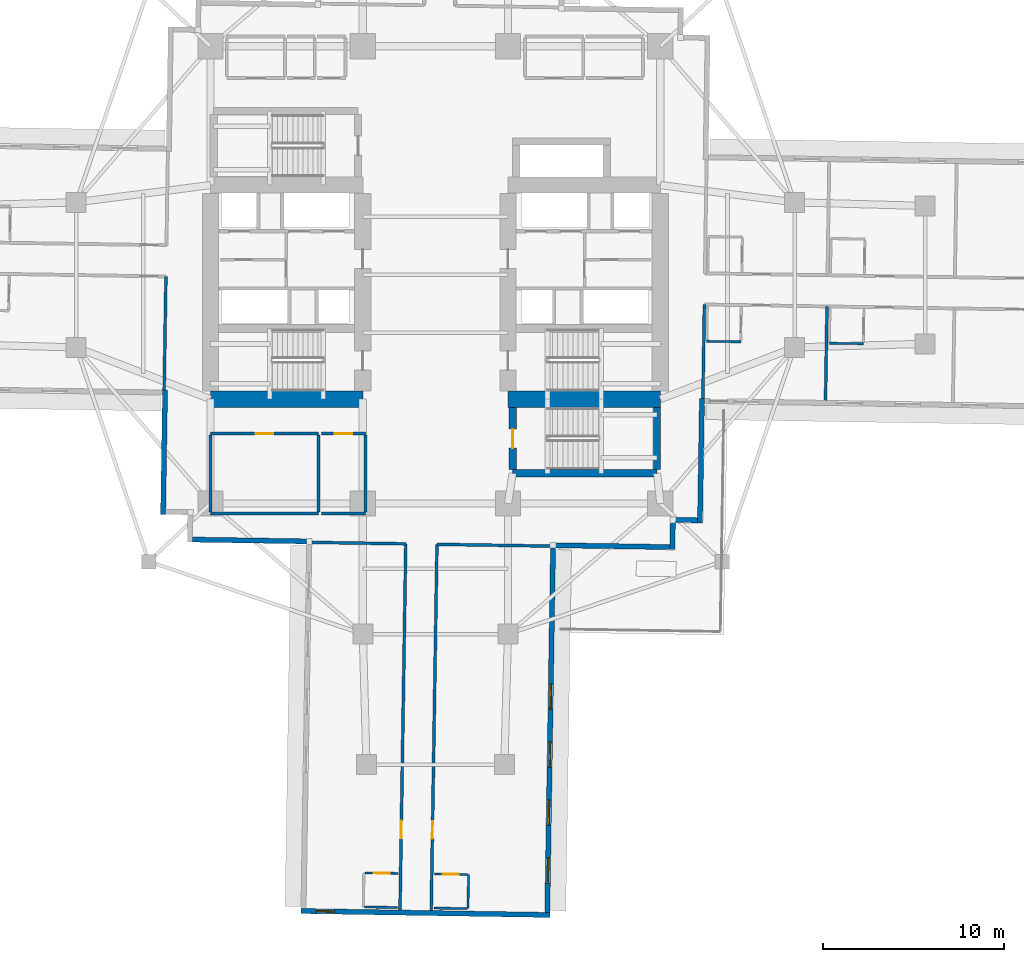
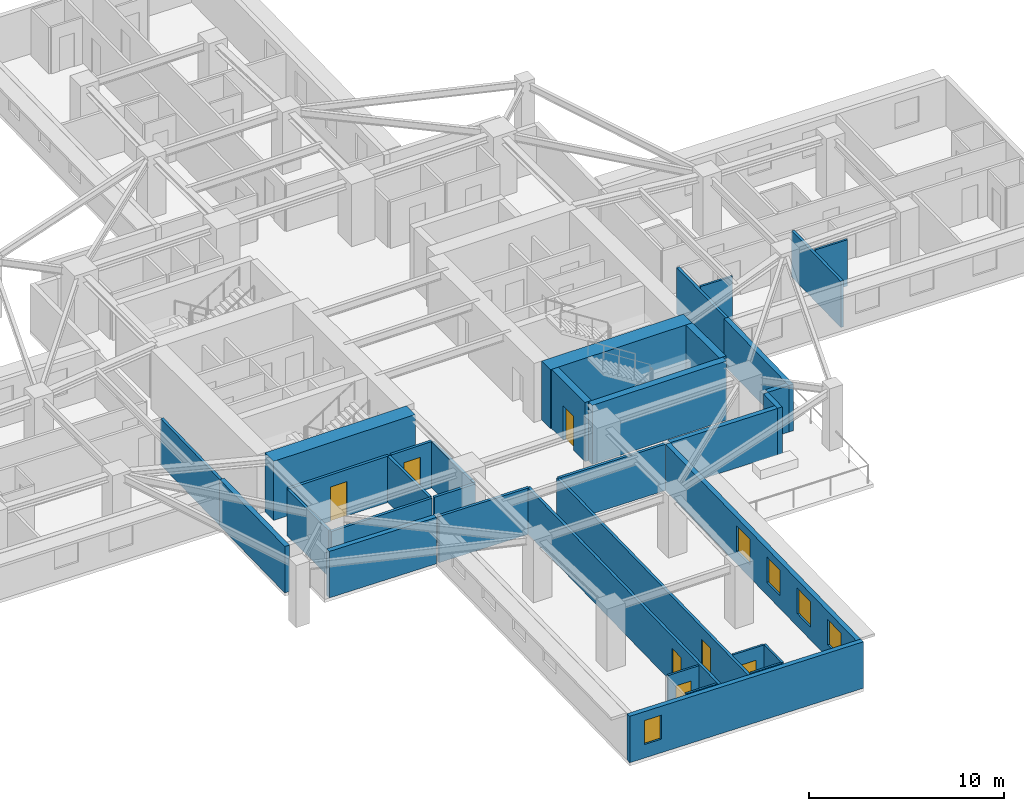
# One storey, part 3 of 13: 34 walls, 7 doors, 5 windows, 12 openings.
"""IFC4 building model written with IfcOpenShell, lengths in metres."""

from ifc_helpers import new_model, si_unit, direction, frame, frame_2d, origin, place, context, subcontext, project, spatial, rectangle, extrude, material, layer, layer_set, type_object, element, fill, save


model = new_model("IFC4")

# Units and contexts
model_context = context("Model", 3, precision=1e-05, world=origin(), true_north=direction((0.0, 1.0)))
body_context = subcontext(model_context, "Body", "Model", "MODEL_VIEW")
ifc_project = project(units=[si_unit("LENGTHUNIT", "METRE"), si_unit("AREAUNIT", "SQUARE_METRE"), si_unit("VOLUMEUNIT", "CUBIC_METRE"), si_unit("PLANEANGLEUNIT", "RADIAN"), si_unit("MASSUNIT", "GRAM", prefix="KILO")], contexts=[model_context])

# Site, building, storey
site_placement = place(None, origin())
site = spatial("IfcSite", under=ifc_project, at=site_placement, CompositionType="ELEMENT")
building_placement = place(site_placement, origin())
building = spatial("IfcBuilding", under=site, at=building_placement, Name="Qingluan Cross Belvedere", CompositionType="ELEMENT")
storey_placement = place(building_placement, frame((0.0, 0.0, 67.800048828125)))
storey = spatial("IfcBuildingStorey", under=building, at=storey_placement, Name="L17", CompositionType="ELEMENT", Elevation=67.800048828125)

# Wall
ifc_material_1 = material(Name="Concrete C50", Category="concrete")
ifc_layer_1 = layer(ifc_material_1, 0.449951171875, Name="CoreShearWall_450")
ifc_layer_set_1 = layer_set([ifc_layer_1], Name="Concrete C50")
wall_type_1 = type_object("IfcWallType", Name="CoreShearWall_450", PredefinedType="SHEAR", material=ifc_layer_set_1)
wall_1_placement = place(storey_placement, frame((4.260009765625, -10.93994140625, 0.0), z_axis=(0.0, 0.0, 1.0), x_axis=(1.0, 0.0, 0.0)))
element("IfcWall", 1, at=wall_1_placement, inside=storey, type_object=wall_type_1, Name="Stair ST4 structural wall S L17", PredefinedType="SHEAR", context=body_context, shape_type="SweptSolid", body=[
    extrude(rectangle(XDim=7.9599609375, YDim=0.39990234375, at=frame_2d((3.97998046875, 0.0))), origin(), (0.0, 0.0, 1.0), 3.699951171875),
])

# Wall, opening, door
wall_2_placement = place(storey_placement, frame((4.260009765625, -10.735107421875, 0.0), z_axis=(0.0, 0.0, 1.0), x_axis=(0.0, 1.0, 0.0)))
wall_2 = element("IfcWall", 2, at=wall_2_placement, inside=storey, type_object=wall_type_1, Name="Stair ST4 structural wall W L17", PredefinedType="SHEAR", context=body_context, shape_type="SweptSolid", body=[
    extrude(rectangle(XDim=3.43017578125, YDim=0.39990234375, at=frame_2d((1.715087890625, 0.0))), origin(), (0.0, 0.0, 1.0), 3.699951171875),
])
opening_1_placement = place(wall_2_placement, frame((1.18505859375, 0.0, 0.0)))
opening_1 = element("IfcOpeningElement", 3, at=opening_1_placement, cuts=wall_2, Name="Opening FD-B11", PredefinedType="OPENING", context=body_context, shape_type="SweptSolid", body=[
    extrude(rectangle(XDim=1.050048828125, YDim=2.14990234375, at=frame_2d((0.52490234375, 1.074951171875))), frame((0.0, 0.2099609375, 0.0), z_axis=(0.0, -1.0, 0.0), x_axis=(1.0, 0.0, 0.0)), (0.0, 0.0, 1.0), 0.419921875),
])
ifc_material_2 = material(Name="Steel Class B smoke-seal fire door", Category="steel")
door_type_1 = type_object("IfcDoorType", Name="StairLobbyFireDoor_FDB", OperationType="NOTDEFINED", PredefinedType="DOOR", material=ifc_material_2)
door_1_placement = place(opening_1_placement, origin())
door_1 = element("IfcDoor", 4, at=door_1_placement, inside=storey, type_object=door_type_1, Name="Smoke-proof stair ST4 fire door L17", OperationType="SINGLE_SWING_LEFT", OverallHeight=2.14990234375, OverallWidth=1.050048828125, PredefinedType="DOOR", context=body_context, shape_type="SweptSolid", body=[
    extrude(rectangle(XDim=1.050048828125, YDim=2.14990234375, at=frame_2d((0.52490234375, 1.074951171875))), frame((0.0, 0.02490234375, 0.0), z_axis=(0.0, -1.0, 0.0), x_axis=(1.0, 0.0, 0.0)), (0.0, 0.0, 1.0), 0.050048828125),
])
fill(opening_1, door_1)

# Walls
wall_3_placement = place(storey_placement, frame((12.219970703125, -10.735107421875, 0.0), z_axis=(0.0, 0.0, 1.0), x_axis=(0.0, 1.0, 0.0)))
element("IfcWall", 5, at=wall_3_placement, inside=storey, type_object=wall_type_1, Name="Stair ST4 structural wall E L17", PredefinedType="SHEAR", context=body_context, shape_type="SweptSolid", body=[
    extrude(rectangle(XDim=3.43017578125, YDim=0.39990234375, at=frame_2d((1.715087890625, 0.0))), origin(), (0.0, 0.0, 1.0), 3.699951171875),
])
ifc_material_3 = material(Name="Concrete C70", Category="concrete")
ifc_layer_2 = layer(ifc_material_3, 0.89990234375, Name="CoreShearWall_900")
ifc_layer_set_2 = layer_set([ifc_layer_2], Name="Concrete C70")
wall_type_2 = type_object("IfcWallType", Name="CoreShearWall_900", PredefinedType="SHEAR", material=ifc_layer_set_2)
for number, where, z_axis, x_axis, name in (
    (6, (-12.39990234375, -6.85009765625, 0.0), (0.0, 0.0, 1.0), (1.0, 0.0, 0.0), "Split core W shear wall L17-S"),
    (7, (4.0, -6.85009765625, 0.0), (0.0, 0.0, 1.0), (1.0, 0.0, 0.0), "Split core E shear wall L17-S"),
):
    element("IfcWall", number, at=place(storey_placement, frame(where, z_axis=z_axis, x_axis=x_axis)), inside=storey, type_object=wall_type_2, Name=name, PredefinedType="SHEAR", context=body_context, shape_type="SweptSolid", body=[
        extrude(rectangle(XDim=8.39990234375, YDim=0.89990234375, at=frame_2d((4.199951171875, 0.0))), origin(), (0.0, 0.0, 1.0), 3.699951171875),
    ])
ifc_material_4 = material(Name="Gypsum plasterboard on steel stud acoustic partition", Category="steel")
ifc_layer_3 = layer(ifc_material_4, 0.159912109375, Name="CorridorPartition_160")
ifc_layer_set_3 = layer_set([ifc_layer_3], Name="Gypsum plasterboard on steel stud acoustic partition")
wall_type_3 = type_object("IfcWallType", Name="CorridorPartition_160", PredefinedType="PARTITIONING", material=ifc_layer_set_3)
wall_4_placement = place(storey_placement, frame((-12.39990234375, -13.14990234375, 0.0), z_axis=(0.0, 0.0, 1.0), x_axis=(1.0, 0.0, 0.0)))
element("IfcWall", 8, at=wall_4_placement, inside=storey, type_object=wall_type_3, Name="Partition L17:q_sw1:S", PredefinedType="PARTITIONING", context=body_context, shape_type="SweptSolid", body=[
    extrude(rectangle(XDim=5.949951171875, YDim=0.159912109375, at=frame_2d((2.97509765625, 0.0))), origin(), (0.0, 0.0, 1.0), 2.89990234375),
])

# Wall, opening, door
wall_5_placement = place(storey_placement, frame((-12.39990234375, -8.75, 0.0), z_axis=(0.0, 0.0, 1.0), x_axis=(1.0, 0.0, 0.0)))
wall_5 = element("IfcWall", 9, at=wall_5_placement, inside=storey, type_object=wall_type_3, Name="Partition L17:q_sw1:N", PredefinedType="PARTITIONING", context=body_context, shape_type="SweptSolid", body=[
    extrude(rectangle(XDim=5.949951171875, YDim=0.159912109375, at=frame_2d((2.97509765625, 0.0))), origin(), (0.0, 0.0, 1.0), 2.89990234375),
])
opening_2_placement = place(wall_5_placement, frame((2.4951171875, 0.0, 0.0)))
opening_2 = element("IfcOpeningElement", 10, at=opening_2_placement, cuts=wall_5, Name="Opening GD-10", PredefinedType="OPENING", context=body_context, shape_type="SweptSolid", body=[
    extrude(rectangle(XDim=0.9599609375, YDim=2.14990234375, at=frame_2d((0.47998046875, 1.074951171875))), frame((0.0, 0.08984375, 0.0), z_axis=(0.0, -1.0, 0.0), x_axis=(1.0, 0.0, 0.0)), (0.0, 0.0, 1.0), 0.179931640625),
])
ifc_material_5 = material(Name="Timber oak fire-rated acoustic guestroom door", Category="wood")
door_type_2 = type_object("IfcDoorType", Name="GuestEntryDoor_FD60", OperationType="NOTDEFINED", PredefinedType="DOOR", material=ifc_material_5)
door_2_placement = place(opening_2_placement, origin())
door_2 = element("IfcDoor", 11, at=door_2_placement, inside=storey, type_object=door_type_2, Name="Library quiet salon L17 door", OperationType="SINGLE_SWING_LEFT", OverallHeight=2.14990234375, OverallWidth=0.9599609375, PredefinedType="DOOR", context=body_context, shape_type="SweptSolid", body=[
    extrude(rectangle(XDim=0.9599609375, YDim=2.14990234375, at=frame_2d((0.47998046875, 1.074951171875))), frame((0.0, 0.02490234375, 0.0), z_axis=(0.0, -1.0, 0.0), x_axis=(1.0, 0.0, 0.0)), (0.0, 0.0, 1.0), 0.050048828125),
])
fill(opening_2, door_2)

# Walls
for number, where, z_axis, x_axis, name in (
    (12, (-12.39990234375, -13.06494140625, 0.0), (0.0, 0.0, 1.0), (0.0, 1.0, 0.0), "Partition L17:q_sw1:W"),
    (13, (-6.449951171875, -13.06494140625, 0.0), (0.0, 0.0, 1.0), (0.0, 1.0, 0.0), "Partition L17:q_sw1:E"),
):
    element("IfcWall", number, at=place(storey_placement, frame(where, z_axis=z_axis, x_axis=x_axis)), inside=storey, type_object=wall_type_3, Name=name, PredefinedType="PARTITIONING", context=body_context, shape_type="SweptSolid", body=[
        extrude(rectangle(XDim=4.22998046875, YDim=0.159912109375, at=frame_2d((2.114990234375, 0.0))), origin(), (0.0, 0.0, 1.0), 2.89990234375),
    ])
wall_6_placement = place(storey_placement, frame((-6.2900390625, -13.14990234375, 0.0), z_axis=(0.0, 0.0, 1.0), x_axis=(1.0, 0.0, 0.0)))
element("IfcWall", 14, at=wall_6_placement, inside=storey, type_object=wall_type_3, Name="Partition L17:q_sw2:S", PredefinedType="PARTITIONING", context=body_context, shape_type="SweptSolid", body=[
    extrude(rectangle(XDim=2.43994140625, YDim=0.159912109375, at=frame_2d((1.219970703125, 0.0))), origin(), (0.0, 0.0, 1.0), 2.89990234375),
])

# Wall, opening, door
wall_7_placement = place(storey_placement, frame((-6.2900390625, -8.75, 0.0), z_axis=(0.0, 0.0, 1.0), x_axis=(1.0, 0.0, 0.0)))
wall_7 = element("IfcWall", 15, at=wall_7_placement, inside=storey, type_object=wall_type_3, Name="Partition L17:q_sw2:N", PredefinedType="PARTITIONING", context=body_context, shape_type="SweptSolid", body=[
    extrude(rectangle(XDim=2.43994140625, YDim=0.159912109375, at=frame_2d((1.219970703125, 0.0))), origin(), (0.0, 0.0, 1.0), 2.89990234375),
])
opening_3_placement = place(wall_7_placement, frame((0.739990234375, 0.0, 0.0)))
opening_3 = element("IfcOpeningElement", 16, at=opening_3_placement, cuts=wall_7, Name="Opening GD-10", PredefinedType="OPENING", context=body_context, shape_type="SweptSolid", body=[
    extrude(rectangle(XDim=0.9599609375, YDim=2.14990234375, at=frame_2d((0.47998046875, 1.074951171875))), frame((0.0, 0.08984375, 0.0), z_axis=(0.0, -1.0, 0.0), x_axis=(1.0, 0.0, 0.0)), (0.0, 0.0, 1.0), 0.179931640625),
])
door_3_placement = place(opening_3_placement, origin())
door_3 = element("IfcDoor", 17, at=door_3_placement, inside=storey, type_object=door_type_2, Name="Southwest reading room L17 door", OperationType="SINGLE_SWING_RIGHT", OverallHeight=2.14990234375, OverallWidth=0.9599609375, PredefinedType="DOOR", context=body_context, shape_type="SweptSolid", body=[
    extrude(rectangle(XDim=0.9599609375, YDim=2.14990234375, at=frame_2d((0.47998046875, 1.074951171875))), frame((0.0, 0.02490234375, 0.0), z_axis=(0.0, -1.0, 0.0), x_axis=(1.0, 0.0, 0.0)), (0.0, 0.0, 1.0), 0.050048828125),
])
fill(opening_3, door_3)

# Walls
wall_8_placement = place(storey_placement, frame((-3.85009765625, -13.06494140625, 0.0), z_axis=(0.0, 0.0, 1.0), x_axis=(0.0, 1.0, 0.0)))
element("IfcWall", 18, at=wall_8_placement, inside=storey, type_object=wall_type_3, Name="Partition L17:q_sw2:E", PredefinedType="PARTITIONING", context=body_context, shape_type="SweptSolid", body=[
    extrude(rectangle(XDim=4.22998046875, YDim=0.159912109375, at=frame_2d((2.114990234375, 0.0))), origin(), (0.0, 0.0, 1.0), 2.89990234375),
])
for number, where, z_axis, x_axis, name in (
    (19, (14.826171875, -1.633056640625, 0.0), (0.0, 0.0, 1.0), (-0.015718952777, -0.999876449629, 0.0), "Partition L17:E:s1"),
    (20, (21.585205078125, -1.7392578125, 0.0), (0.0, 0.0, 1.0), (-0.015671760326, -0.999877190423, 0.0), "Partition L17:E:d1_0"),
):
    element("IfcWall", number, at=place(storey_placement, frame(where, z_axis=z_axis, x_axis=x_axis)), inside=storey, type_object=wall_type_3, Name=name, PredefinedType="PARTITIONING", context=body_context, shape_type="SweptSolid", body=[
        extrude(rectangle(XDim=5.172119140625, YDim=0.159912109375, at=frame_2d((2.5859375, 0.0))), origin(), (0.0, 0.0, 1.0), 2.89990234375),
    ])
wall_9_placement = place(storey_placement, frame((-14.853271484375, -0.086669921875, 0.0), z_axis=(0.0, 0.0, 1.0), x_axis=(-0.015698123972, -0.99987677686, 0.0)))
element("IfcWall", 21, at=wall_9_placement, inside=storey, type_object=wall_type_3, Name="Partition L17:W:s1", PredefinedType="PARTITIONING", context=body_context, shape_type="SweptSolid", body=[
    extrude(rectangle(XDim=6.251953125, YDim=0.159912109375, at=frame_2d((3.1259765625, 0.0))), origin(), (0.0, 0.0, 1.0), 2.89990234375),
])

# Wall, opening, door
wall_10_placement = place(storey_placement, frame((0.086669921875, -14.853271484375, 0.0), z_axis=(0.0, 0.0, 1.0), x_axis=(-0.015701893165, -0.999876717676, 0.0)))
wall_10 = element("IfcWall", 22, at=wall_10_placement, inside=storey, type_object=wall_type_3, Name="Partition L17:S:c0", PredefinedType="PARTITIONING", context=body_context, shape_type="SweptSolid", body=[
    extrude(rectangle(XDim=20.181884765625, YDim=0.159912109375, at=frame_2d((10.0908203125, 0.0))), origin(), (0.0, 0.0, 1.0), 2.89990234375),
])
opening_4_placement = place(wall_10_placement, frame((15.263916015625, 0.0, 0.0)))
opening_4 = element("IfcOpeningElement", 23, at=opening_4_placement, cuts=wall_10, Name="Opening GD-10", PredefinedType="OPENING", context=body_context, shape_type="SweptSolid", body=[
    extrude(rectangle(XDim=0.9599609375, YDim=2.14990234375, at=frame_2d((0.47998046875, 1.074951171875))), frame((0.0, 0.08984375, 0.0), z_axis=(0.0, -1.0, 0.0), x_axis=(1.0, 0.0, 0.0)), (0.0, 0.0, 1.0), 0.179931640625),
])
door_4_placement = place(opening_4_placement, origin())
door_4 = element("IfcDoor", 24, at=door_4_placement, inside=storey, type_object=door_type_2, Name="Guest entry fire door 1715", OperationType="SINGLE_SWING_LEFT", OverallHeight=2.14990234375, OverallWidth=0.9599609375, PredefinedType="DOOR", context=body_context, shape_type="SweptSolid", body=[
    extrude(rectangle(XDim=0.9599609375, YDim=2.14990234375, at=frame_2d((0.47998046875, 1.074951171875))), frame((0.0, 0.02490234375, 0.0), z_axis=(0.0, -1.0, 0.0), x_axis=(1.0, 0.0, 0.0)), (0.0, 0.0, 1.0), 0.050048828125),
])
fill(opening_4, door_4)

# Wall
wall_11_placement = place(storey_placement, frame((0.086669921875, -14.853271484375, 0.0), z_axis=(0.0, 0.0, 1.0), x_axis=(0.999877084574, -0.015678512142, 0.0)))
element("IfcWall", 25, at=wall_11_placement, inside=storey, type_object=wall_type_3, Name="Partition L17:S:s0", PredefinedType="PARTITIONING", context=body_context, shape_type="SweptSolid", body=[
    extrude(rectangle(XDim=6.39990234375, YDim=0.159912109375, at=frame_2d((3.199951171875, 0.0))), origin(), (0.0, 0.0, 1.0), 2.89990234375),
])

# Wall, opening, door
wall_12_placement = place(storey_placement, frame((-1.633056640625, -14.826171875, 0.0), z_axis=(0.0, 0.0, 1.0), x_axis=(-0.015713987169, -0.999876527681, 0.0)))
wall_12 = element("IfcWall", 26, at=wall_12_placement, inside=storey, type_object=wall_type_3, Name="Partition L17:S:c1", PredefinedType="PARTITIONING", context=body_context, shape_type="SweptSolid", body=[
    extrude(rectangle(XDim=20.181884765625, YDim=0.159912109375, at=frame_2d((10.0908203125, 0.0))), origin(), (0.0, 0.0, 1.0), 2.89990234375),
])
opening_5_placement = place(wall_12_placement, frame((15.263916015625, 0.0, 0.0)))
opening_5 = element("IfcOpeningElement", 27, at=opening_5_placement, cuts=wall_12, Name="Opening GD-10", PredefinedType="OPENING", context=body_context, shape_type="SweptSolid", body=[
    extrude(rectangle(XDim=0.9599609375, YDim=2.14990234375, at=frame_2d((0.47998046875, 1.074951171875))), frame((0.0, 0.08984375, 0.0), z_axis=(0.0, -1.0, 0.0), x_axis=(1.0, 0.0, 0.0)), (0.0, 0.0, 1.0), 0.179931640625),
])
door_5_placement = place(opening_5_placement, origin())
door_5 = element("IfcDoor", 28, at=door_5_placement, inside=storey, type_object=door_type_2, Name="Guest entry fire door 1716", OperationType="SINGLE_SWING_LEFT", OverallHeight=2.14990234375, OverallWidth=0.9599609375, PredefinedType="DOOR", context=body_context, shape_type="SweptSolid", body=[
    extrude(rectangle(XDim=0.9599609375, YDim=2.14990234375, at=frame_2d((0.47998046875, 1.074951171875))), frame((0.0, 0.02490234375, 0.0), z_axis=(0.0, -1.0, 0.0), x_axis=(1.0, 0.0, 0.0)), (0.0, 0.0, 1.0), 0.050048828125),
])
fill(opening_5, door_5)

# Walls
wall_13_placement = place(storey_placement, frame((-1.633056640625, -14.826171875, 0.0), z_axis=(0.0, 0.0, 1.0), x_axis=(-0.999876829348, 0.015694780413, 0.0)))
element("IfcWall", 29, at=wall_13_placement, inside=storey, type_object=wall_type_3, Name="Partition L17:S:s1", PredefinedType="PARTITIONING", context=body_context, shape_type="SweptSolid", body=[
    extrude(rectangle(XDim=5.320068359375, YDim=0.159912109375, at=frame_2d((2.66015625, 0.0))), origin(), (0.0, 0.0, 1.0), 2.89990234375),
])
ifc_material_6 = material(Name="Moisture-resistant gypsum board lining")
ifc_layer_4 = layer(ifc_material_6, 0.1201171875, Name="EnsuiteWetPartition_120")
ifc_layer_set_4 = layer_set([ifc_layer_4], Name="Moisture-resistant gypsum board lining")
wall_type_4 = type_object("IfcWallType", Name="EnsuiteWetPartition_120", PredefinedType="PARTITIONING", material=ifc_layer_set_4)
wall_14_placement = place(storey_placement, frame((14.954345703125, -3.660400390625, 0.0), z_axis=(0.0, 0.0, 1.0), x_axis=(0.99987652141, -0.015714386166, 0.0)))
element("IfcWall", 30, at=wall_14_placement, inside=storey, type_object=wall_type_4, Name="Partition L17:E:bc1_0", PredefinedType="PARTITIONING", context=body_context, shape_type="SweptSolid", body=[
    extrude(rectangle(XDim=1.8798828125, YDim=0.1201171875, at=frame_2d((0.93994140625, 0.0))), origin(), (0.0, 0.0, 1.0), 2.89990234375),
])
wall_15_placement = place(storey_placement, frame((21.71337890625, -3.7666015625, 0.0), z_axis=(0.0, 0.0, 1.0), x_axis=(0.999876553475, -0.01571234584, 0.0)))
element("IfcWall", 31, at=wall_15_placement, inside=storey, type_object=wall_type_4, Name="Partition L17:E:bc1_1", PredefinedType="PARTITIONING", context=body_context, shape_type="SweptSolid", body=[
    extrude(rectangle(XDim=1.880126953125, YDim=0.1201171875, at=frame_2d((0.93994140625, 0.0))), origin(), (0.0, 0.0, 1.0), 2.89990234375),
])

# Wall, opening, door
wall_16_placement = place(storey_placement, frame((-0.05859375, -33.023193359375, 0.0), z_axis=(0.0, 0.0, 1.0), x_axis=(0.999876803258, -0.015696442504, 0.0)))
wall_16 = element("IfcWall", 32, at=wall_16_placement, inside=storey, type_object=wall_type_4, Name="Partition L17:S:bs0_0", PredefinedType="PARTITIONING", context=body_context, shape_type="SweptSolid", body=[
    extrude(rectangle(XDim=1.81982421875, YDim=0.1201171875, at=frame_2d((0.909912109375, 0.0))), origin(), (0.0, 0.0, 1.0), 2.89990234375),
])
opening_6_placement = place(wall_16_placement, frame((0.469970703125, 0.0, 0.0)))
opening_6 = element("IfcOpeningElement", 33, at=opening_6_placement, cuts=wall_16, Name="Opening BD-09", PredefinedType="OPENING", context=body_context, shape_type="SweptSolid", body=[
    extrude(rectangle(XDim=0.8798828125, YDim=2.10009765625, at=frame_2d((0.43994140625, 1.050048828125))), frame((0.0, 0.070068359375, 0.0), z_axis=(0.0, -1.0, 0.0), x_axis=(1.0, 0.0, 0.0)), (0.0, 0.0, 1.0), 0.14013671875),
])
ifc_material_7 = material(Name="Moisture-sealed timber en-suite door", Category="wood")
door_type_3 = type_object("IfcDoorType", Name="BathroomDoor_880", OperationType="NOTDEFINED", PredefinedType="DOOR", material=ifc_material_7)
door_6_placement = place(opening_6_placement, origin())
door_6 = element("IfcDoor", 34, at=door_6_placement, inside=storey, type_object=door_type_3, Name="Bathroom door 1715", OperationType="SINGLE_SWING_RIGHT", OverallHeight=2.10009765625, OverallWidth=0.8798828125, PredefinedType="DOOR", context=body_context, shape_type="SweptSolid", body=[
    extrude(rectangle(XDim=0.8798828125, YDim=2.10009765625, at=frame_2d((0.43994140625, 1.050048828125))), frame((0.0, 0.02490234375, 0.0), z_axis=(0.0, -1.0, 0.0), x_axis=(1.0, 0.0, 0.0)), (0.0, 0.0, 1.0), 0.050048828125),
])
fill(opening_6, door_6)

# Walls
wall_17_placement = place(storey_placement, frame((-0.088134765625, -34.90283203125, 0.0), z_axis=(0.0, 0.0, 1.0), x_axis=(0.999876803258, -0.015696442504, 0.0)))
element("IfcWall", 35, at=wall_17_placement, inside=storey, type_object=wall_type_4, Name="Partition L17:S:bw0_0", PredefinedType="PARTITIONING", context=body_context, shape_type="SweptSolid", body=[
    extrude(rectangle(XDim=1.81982421875, YDim=0.1201171875, at=frame_2d((0.909912109375, 0.0))), origin(), (0.0, 0.0, 1.0), 2.89990234375),
])
wall_18_placement = place(storey_placement, frame((1.826171875, -33.052734375, 0.0), z_axis=(0.0, 0.0, 1.0), x_axis=(-0.015842167482, -0.99987450499, 0.0)))
element("IfcWall", 36, at=wall_18_placement, inside=storey, type_object=wall_type_4, Name="Partition L17:S:bn0_0", PredefinedType="PARTITIONING", context=body_context, shape_type="SweptSolid", body=[
    extrude(rectangle(XDim=1.880126953125, YDim=0.1201171875, at=frame_2d((0.93994140625, 0.0))), origin(), (0.0, 0.0, 1.0), 2.89990234375),
])

# Wall, opening, door
wall_19_placement = place(storey_placement, frame((-3.878173828125, -32.963134765625, 0.0), z_axis=(0.0, 0.0, 1.0), x_axis=(0.999876803258, -0.015696442504, 0.0)))
wall_19 = element("IfcWall", 37, at=wall_19_placement, inside=storey, type_object=wall_type_4, Name="Partition L17:S:bs1_0", PredefinedType="PARTITIONING", context=body_context, shape_type="SweptSolid", body=[
    extrude(rectangle(XDim=1.81982421875, YDim=0.1201171875, at=frame_2d((0.909912109375, 0.0))), origin(), (0.0, 0.0, 1.0), 2.89990234375),
])
opening_7_placement = place(wall_19_placement, frame((0.469970703125, 0.0, 0.0)))
opening_7 = element("IfcOpeningElement", 38, at=opening_7_placement, cuts=wall_19, Name="Opening BD-09", PredefinedType="OPENING", context=body_context, shape_type="SweptSolid", body=[
    extrude(rectangle(XDim=0.8798828125, YDim=2.10009765625, at=frame_2d((0.43994140625, 1.050048828125))), frame((0.0, 0.070068359375, 0.0), z_axis=(0.0, -1.0, 0.0), x_axis=(1.0, 0.0, 0.0)), (0.0, 0.0, 1.0), 0.14013671875),
])
door_7_placement = place(opening_7_placement, origin())
door_7 = element("IfcDoor", 39, at=door_7_placement, inside=storey, type_object=door_type_3, Name="Bathroom door 1716", OperationType="SINGLE_SWING_RIGHT", OverallHeight=2.10009765625, OverallWidth=0.8798828125, PredefinedType="DOOR", context=body_context, shape_type="SweptSolid", body=[
    extrude(rectangle(XDim=0.8798828125, YDim=2.10009765625, at=frame_2d((0.43994140625, 1.050048828125))), frame((0.0, 0.02490234375, 0.0), z_axis=(0.0, -1.0, 0.0), x_axis=(1.0, 0.0, 0.0)), (0.0, 0.0, 1.0), 0.050048828125),
])
fill(opening_7, door_7)

# Wall
wall_20_placement = place(storey_placement, frame((-3.90771484375, -34.843017578125, 0.0), z_axis=(0.0, 0.0, 1.0), x_axis=(0.999876836305, -0.015694337248, 0.0)))
element("IfcWall", 40, at=wall_20_placement, inside=storey, type_object=wall_type_4, Name="Partition L17:S:bw1_0", PredefinedType="PARTITIONING", context=body_context, shape_type="SweptSolid", body=[
    extrude(rectangle(XDim=1.820068359375, YDim=0.1201171875, at=frame_2d((0.91015625, 0.0))), origin(), (0.0, 0.0, 1.0), 2.89990234375),
])

# Wall, openings, windows
ifc_material_8 = material(Name="Precast concrete C45", Category="concrete")
ifc_layer_5 = layer(ifc_material_8, 0.280029296875, Name="PrecastFacadeWall_280")
ifc_layer_set_5 = layer_set([ifc_layer_5], Name="Precast concrete C45")
wall_type_5 = type_object("IfcWallType", Name="PrecastFacadeWall_280", PredefinedType="STANDARD", material=ifc_layer_set_5)
wall_21_placement = place(storey_placement, frame((6.168701171875, -35.14111328125, 0.0), z_axis=(0.0, 0.0, 1.0), x_axis=(0.01571739401, 0.999876474133, 0.0)))
wall_21 = element("IfcWall", 41, at=wall_21_placement, inside=storey, type_object=wall_type_5, Name="Facade wall L17-SB", PredefinedType="STANDARD", context=body_context, shape_type="SweptSolid", body=[
    extrude(rectangle(XDim=20.099853515625, YDim=0.280029296875, at=frame_2d((10.0498046875, 0.0))), origin(), (0.0, 0.0, 1.0), 2.909912109375),
])
opening_8_placement = place(wall_21_placement, frame((1.60009765625, 0.0, 0.800048828125)))
opening_8 = element("IfcOpeningElement", 42, at=opening_8_placement, cuts=wall_21, Name="Opening W-01", PredefinedType="OPENING", context=body_context, shape_type="SweptSolid", body=[
    extrude(rectangle(XDim=1.39990234375, YDim=1.60009765625, at=frame_2d((0.699951171875, 0.800048828125))), frame((0.0, 0.14990234375, 0.0), z_axis=(0.0, -1.0, 0.0), x_axis=(1.0, 0.0, 0.0)), (0.0, 0.0, 1.0), 0.300048828125),
])
opening_9_placement = place(wall_21_placement, frame((4.800048828125, 0.0, 0.800048828125)))
opening_9 = element("IfcOpeningElement", 43, at=opening_9_placement, cuts=wall_21, Name="Opening W-01", PredefinedType="OPENING", context=body_context, shape_type="SweptSolid", body=[
    extrude(rectangle(XDim=1.39990234375, YDim=1.60009765625, at=frame_2d((0.699951171875, 0.800048828125))), frame((0.0, 0.14990234375, 0.0), z_axis=(0.0, -1.0, 0.0), x_axis=(1.0, 0.0, 0.0)), (0.0, 0.0, 1.0), 0.300048828125),
])
opening_10_placement = place(wall_21_placement, frame((8.0, 0.0, 0.800048828125)))
opening_10 = element("IfcOpeningElement", 44, at=opening_10_placement, cuts=wall_21, Name="Opening W-01", PredefinedType="OPENING", context=body_context, shape_type="SweptSolid", body=[
    extrude(rectangle(XDim=1.39990234375, YDim=1.60009765625, at=frame_2d((0.699951171875, 0.800048828125))), frame((0.0, 0.14990234375, 0.0), z_axis=(0.0, -1.0, 0.0), x_axis=(1.0, 0.0, 0.0)), (0.0, 0.0, 1.0), 0.300048828125),
])
opening_11_placement = place(wall_21_placement, frame((11.199951171875, 0.0, 0.800048828125)))
opening_11 = element("IfcOpeningElement", 45, at=opening_11_placement, cuts=wall_21, Name="Opening W-01", PredefinedType="OPENING", context=body_context, shape_type="SweptSolid", body=[
    extrude(rectangle(XDim=1.39990234375, YDim=1.60009765625, at=frame_2d((0.699951171875, 0.800048828125))), frame((0.0, 0.14990234375, 0.0), z_axis=(0.0, -1.0, 0.0), x_axis=(1.0, 0.0, 0.0)), (0.0, 0.0, 1.0), 0.300048828125),
])
ifc_material_9 = material(Name="Thermally broken triple Low-E glass in aluminium frame", Category="aluminium")
window_type_1 = type_object("IfcWindowType", Name="TriRibbonWin_1400x1600", PartitioningType="SINGLE_PANEL", PredefinedType="WINDOW", material=ifc_material_9)
window_1_placement = place(opening_8_placement, origin())
window_1 = element("IfcWindow", 46, at=window_1_placement, inside=storey, type_object=window_type_1, Name="Ribbon window L17-SB-1", OverallHeight=1.60009765625, OverallWidth=1.39990234375, PartitioningType="SINGLE_PANEL", PredefinedType="WINDOW", context=body_context, shape_type="SweptSolid", body=[
    extrude(rectangle(XDim=1.39990234375, YDim=1.60009765625, at=frame_2d((0.699951171875, 0.800048828125))), frame((0.0, 0.030029296875, 0.0), z_axis=(0.0, -1.0, 0.0), x_axis=(1.0, 0.0, 0.0)), (0.0, 0.0, 1.0), 0.06005859375),
])
fill(opening_8, window_1)
window_2_placement = place(opening_9_placement, origin())
window_2 = element("IfcWindow", 47, at=window_2_placement, inside=storey, type_object=window_type_1, Name="Ribbon window L17-SB-2", OverallHeight=1.60009765625, OverallWidth=1.39990234375, PartitioningType="SINGLE_PANEL", PredefinedType="WINDOW", context=body_context, shape_type="SweptSolid", body=[
    extrude(rectangle(XDim=1.39990234375, YDim=1.60009765625, at=frame_2d((0.699951171875, 0.800048828125))), frame((0.0, 0.030029296875, 0.0), z_axis=(0.0, -1.0, 0.0), x_axis=(1.0, 0.0, 0.0)), (0.0, 0.0, 1.0), 0.06005859375),
])
fill(opening_9, window_2)
window_3_placement = place(opening_10_placement, origin())
window_3 = element("IfcWindow", 48, at=window_3_placement, inside=storey, type_object=window_type_1, Name="Ribbon window L17-SB-3", OverallHeight=1.60009765625, OverallWidth=1.39990234375, PartitioningType="SINGLE_PANEL", PredefinedType="WINDOW", context=body_context, shape_type="SweptSolid", body=[
    extrude(rectangle(XDim=1.39990234375, YDim=1.60009765625, at=frame_2d((0.699951171875, 0.800048828125))), frame((0.0, 0.030029296875, 0.0), z_axis=(0.0, -1.0, 0.0), x_axis=(1.0, 0.0, 0.0)), (0.0, 0.0, 1.0), 0.06005859375),
])
fill(opening_10, window_3)
window_4_placement = place(opening_11_placement, origin())
window_4 = element("IfcWindow", 49, at=window_4_placement, inside=storey, type_object=window_type_1, Name="Ribbon window L17-SB-4", OverallHeight=1.60009765625, OverallWidth=1.39990234375, PartitioningType="SINGLE_PANEL", PredefinedType="WINDOW", context=body_context, shape_type="SweptSolid", body=[
    extrude(rectangle(XDim=1.39990234375, YDim=1.60009765625, at=frame_2d((0.699951171875, 0.800048828125))), frame((0.0, 0.030029296875, 0.0), z_axis=(0.0, -1.0, 0.0), x_axis=(1.0, 0.0, 0.0)), (0.0, 0.0, 1.0), 0.06005859375),
])
fill(opening_11, window_4)

# Wall, opening, window
wall_22_placement = place(storey_placement, frame((-7.41162109375, -35.06787109375, 0.0), z_axis=(0.0, 0.0, 1.0), x_axis=(0.999876549481, -0.015712599986, 0.0)))
wall_22 = element("IfcWall", 50, at=wall_22_placement, inside=storey, type_object=wall_type_5, Name="Arm tip precast facade wall L17-S", PredefinedType="STANDARD", context=body_context, shape_type="SweptSolid", body=[
    extrude(rectangle(XDim=13.719970703125, YDim=0.280029296875, at=frame_2d((6.85986328125, 0.0))), origin(), (0.0, 0.0, 1.0), 2.909912109375),
])
opening_12_placement = place(wall_22_placement, frame((0.85009765625, 0.0, 0.85009765625)))
opening_12 = element("IfcOpeningElement", 51, at=opening_12_placement, cuts=wall_22, Name="Opening W-03", PredefinedType="OPENING", context=body_context, shape_type="SweptSolid", body=[
    extrude(rectangle(XDim=1.0, YDim=1.5, at=frame_2d((0.5, 0.75))), frame((0.0, 0.14990234375, 0.0), z_axis=(0.0, -1.0, 0.0), x_axis=(1.0, 0.0, 0.0)), (0.0, 0.0, 1.0), 0.300048828125),
])
ifc_material_10 = material(Name="Thermally broken triple Low-E glass in aluminium frame", Category="aluminium")
window_type_2 = type_object("IfcWindowType", Name="TriApexWin_1000x1500", PartitioningType="SINGLE_PANEL", PredefinedType="WINDOW", material=ifc_material_10)
window_5_placement = place(opening_12_placement, origin())
window_5 = element("IfcWindow", 52, at=window_5_placement, inside=storey, type_object=window_type_2, Name="Arm tip triangular window L17-S", OverallHeight=1.5, OverallWidth=1.0, PartitioningType="SINGLE_PANEL", PredefinedType="WINDOW", context=body_context, shape_type="SweptSolid", body=[
    extrude(rectangle(XDim=1.0, YDim=1.5, at=frame_2d((0.5, 0.75))), frame((0.0, 0.030029296875, 0.0), z_axis=(0.0, -1.0, 0.0), x_axis=(1.0, 0.0, 0.0)), (0.0, 0.0, 1.0), 0.06005859375),
])
fill(opening_12, window_5)

# Walls
wall_23_placement = place(storey_placement, frame((-14.901611328125, -6.3466796875, 0.0), z_axis=(0.0, 0.0, 1.0), x_axis=(-0.015694809807, -0.999876828887, 0.0)))
element("IfcWall", 53, at=wall_23_placement, inside=storey, type_object=wall_type_5, Name="Corner wall L17-SW1", PredefinedType="STANDARD", context=body_context, shape_type="SweptSolid", body=[
    extrude(rectangle(XDim=6.85986328125, YDim=0.280029296875, at=frame_2d((3.429931640625, 0.0))), origin(), (0.0, 0.0, 1.0), 2.909912109375),
])
wall_24_placement = place(storey_placement, frame((-13.390869140625, -14.591552734375, 0.0), z_axis=(0.0, 0.0, 1.0), x_axis=(0.999876833368, -0.015694524359, 0.0)))
element("IfcWall", 54, at=wall_24_placement, inside=storey, type_object=wall_type_5, Name="Corner wall L17-SW4", PredefinedType="STANDARD", context=body_context, shape_type="SweptSolid", body=[
    extrude(rectangle(XDim=6.300048828125, YDim=0.280029296875, at=frame_2d((3.14990234375, 0.0))), origin(), (0.0, 0.0, 1.0), 2.909912109375),
])
wall_25_placement = place(storey_placement, frame((14.69482421875, -6.811767578125, 0.0), z_axis=(0.0, 0.0, 1.0), x_axis=(-0.015694809807, -0.999876828887, 0.0)))
element("IfcWall", 55, at=wall_25_placement, inside=storey, type_object=wall_type_5, Name="Corner wall L17-SE1", PredefinedType="STANDARD", context=body_context, shape_type="SweptSolid", body=[
    extrude(rectangle(XDim=6.85986328125, YDim=0.280029296875, at=frame_2d((3.429931640625, 0.0))), origin(), (0.0, 0.0, 1.0), 2.909912109375),
])
wall_26_placement = place(storey_placement, frame((14.44921875, -13.528564453125, 0.0), z_axis=(0.0, 0.0, 1.0), x_axis=(-0.999878147354, 0.015610587569, 0.0)))
element("IfcWall", 56, at=wall_26_placement, inside=storey, type_object=wall_type_5, Name="Corner wall L17-SE2", PredefinedType="STANDARD", context=body_context, shape_type="SweptSolid", body=[
    extrude(rectangle(XDim=1.219970703125, YDim=0.280029296875, at=frame_2d((0.60986328125, 0.0))), origin(), (0.0, 0.0, 1.0), 2.909912109375),
])
wall_27_placement = place(storey_placement, frame((13.08740234375, -13.647216796875, 0.0), z_axis=(0.0, 0.0, 1.0), x_axis=(-0.015785793208, -0.999875396603, 0.0)))
element("IfcWall", 57, at=wall_27_placement, inside=storey, type_object=wall_type_5, Name="Corner wall L17-SE3", PredefinedType="STANDARD", context=body_context, shape_type="SweptSolid", body=[
    extrude(rectangle(XDim=1.500244140625, YDim=0.280029296875, at=frame_2d((0.75, 0.0))), origin(), (0.0, 0.0, 1.0), 2.909912109375),
])
wall_28_placement = place(storey_placement, frame((12.92578125, -15.0048828125, 0.0), z_axis=(0.0, 0.0, 1.0), x_axis=(-0.999876823822, 0.015695132501, 0.0)))
element("IfcWall", 58, at=wall_28_placement, inside=storey, type_object=wall_type_5, Name="Corner wall L17-SE4", PredefinedType="STANDARD", context=body_context, shape_type="SweptSolid", body=[
    extrude(rectangle(XDim=6.2998046875, YDim=0.280029296875, at=frame_2d((3.14990234375, 0.0))), origin(), (0.0, 0.0, 1.0), 2.909912109375),
])

save(model, "model.ifc")
